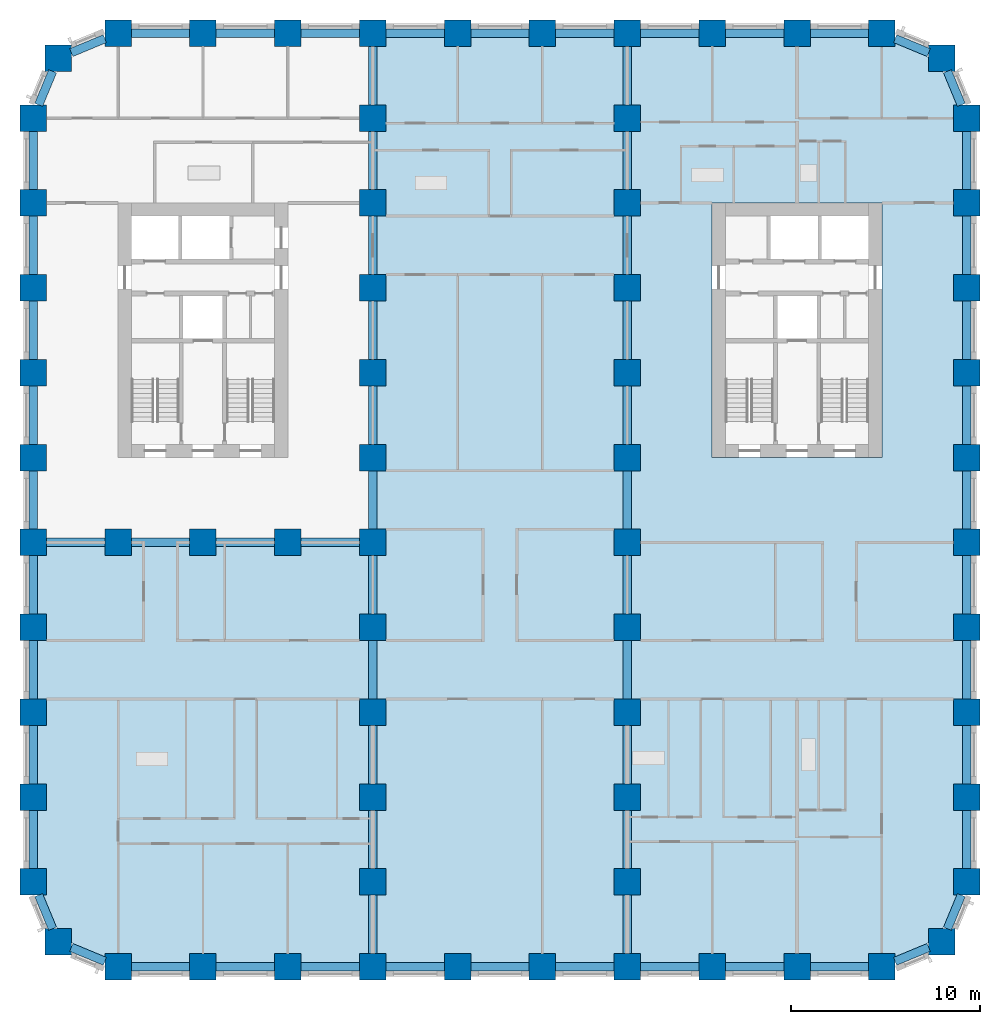
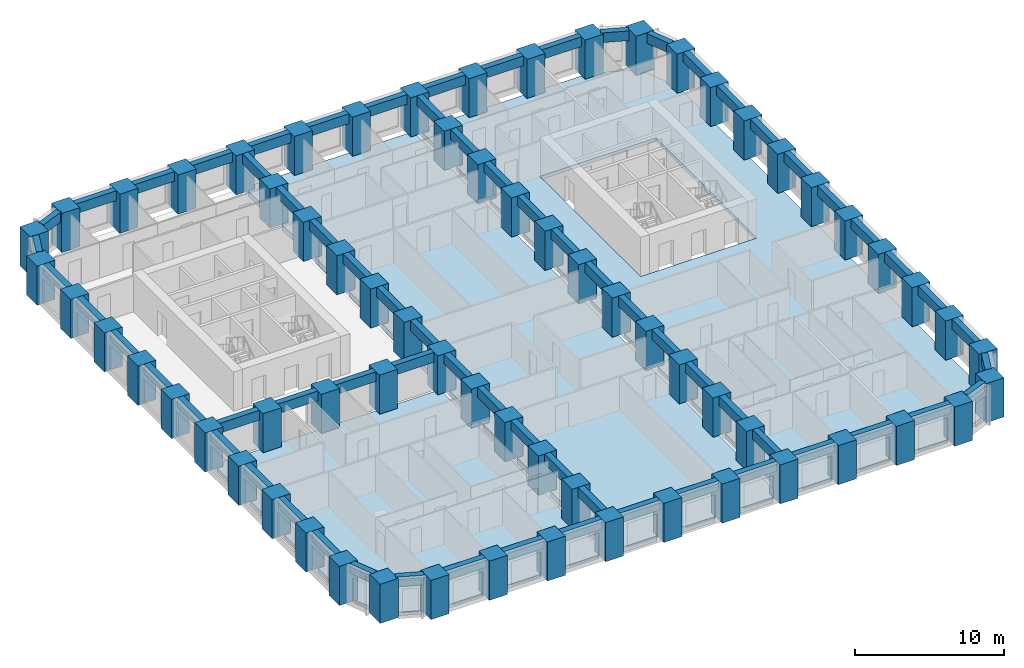
# One storey, part 1 of 13: 70 beams, 67 columns, 3 slabs.
"""IFC4 building model written with IfcOpenShell, lengths in metres."""

from ifc_helpers import new_model, si_unit, direction, frame, origin, origin_2d, place, context, subcontext, project, spatial, polyline, rectangle, outline, extrude, material, layer, layer_set, material_profile, profile_set, type_object, element, save


model = new_model("IFC4")

# Units and contexts
model_context = context("Model", 3, precision=1e-05, world=origin(), true_north=direction((0.0, 1.0)))
body_context = subcontext(model_context, "Body", "Model", "MODEL_VIEW")
ifc_project = project(units=[si_unit("LENGTHUNIT", "METRE"), si_unit("AREAUNIT", "SQUARE_METRE"), si_unit("VOLUMEUNIT", "CUBIC_METRE"), si_unit("PLANEANGLEUNIT", "RADIAN"), si_unit("MASSUNIT", "GRAM", prefix="KILO")], contexts=[model_context])

# Site, building, storey
site_placement = place(None, origin())
site = spatial("IfcSite", under=ifc_project, at=site_placement, CompositionType="ELEMENT")
building_placement = place(site_placement, origin())
building = spatial("IfcBuilding", under=site, at=building_placement, Name="Girih Gate Residences", CompositionType="ELEMENT")
storey_placement = place(building_placement, frame((0.0, 0.0, 52.800048828125)))
storey = spatial("IfcBuildingStorey", under=building, at=storey_placement, Name="L13", CompositionType="ELEMENT", Elevation=52.800048828125)

# Columns
ifc_material_1 = material(Name="Concrete C80/95", Category="concrete")
ifc_material_profile_1 = material_profile(ifc_material_1, rectangle(XDim=1.39990234375, YDim=1.39990234375, at=origin_2d()))
ifc_profile_set_1 = profile_set([ifc_material_profile_1], Name="Concrete C80/95")
column_type = type_object("IfcColumnType", Name="Pier RC 1400x1400 Concrete C80/95", PredefinedType="COLUMN", material=ifc_profile_set_1)
for number, where, z_axis, x_axis, name in (
    (1, (4.5, 0.0, 0.0), (0.0, 0.0, 1.0), (1.0, 0.0, 0.0), "Pier P2A L13"),
    (2, (9.0, 0.0, 0.0), (0.0, 0.0, 1.0), (1.0, 0.0, 0.0), "Pier P3A L13"),
    (3, (13.5, 0.0, 0.0), (0.0, 0.0, 1.0), (1.0, 0.0, 0.0), "Pier P4A L13"),
    (4, (18.0, 0.0, 0.0), (0.0, 0.0, 1.0), (1.0, 0.0, 0.0), "Pier P5A L13"),
    (5, (22.5, 0.0, 0.0), (0.0, 0.0, 1.0), (1.0, 0.0, 0.0), "Pier P6A L13"),
    (6, (27.0, 0.0, 0.0), (0.0, 0.0, 1.0), (1.0, 0.0, 0.0), "Pier P7A L13"),
    (7, (31.5, 0.0, 0.0), (0.0, 0.0, 1.0), (1.0, 0.0, 0.0), "Pier P8A L13"),
    (8, (36.0, 0.0, 0.0), (0.0, 0.0, 1.0), (1.0, 0.0, 0.0), "Pier P9A L13"),
    (9, (40.5, 0.0, 0.0), (0.0, 0.0, 1.0), (1.0, 0.0, 0.0), "Pier P10A L13"),
    (10, (45.0, 0.0, 0.0), (0.0, 0.0, 1.0), (1.0, 0.0, 0.0), "Pier P11A L13"),
    (11, (1.318115234375, 1.318115234375, 0.0), (0.0, 0.0, 1.0), (1.0, 0.0, 0.0), "Pier P1ANE L13"),
    (12, (48.181884765625, 1.318115234375, 0.0), (0.0, 0.0, 1.0), (1.0, 0.0, 0.0), "Pier P12ANW L13"),
    (13, (0.0, 4.5, 0.0), (0.0, 0.0, 1.0), (1.0, 0.0, 0.0), "Pier P1B L13"),
    (14, (18.0, 4.5, 0.0), (0.0, 0.0, 1.0), (1.0, 0.0, 0.0), "Pier P5B L13"),
    (15, (31.5, 4.5, 0.0), (0.0, 0.0, 1.0), (1.0, 0.0, 0.0), "Pier P8B L13"),
    (16, (49.5, 4.5, 0.0), (0.0, 0.0, 1.0), (1.0, 0.0, 0.0), "Pier P12B L13"),
    (17, (0.0, 9.0, 0.0), (0.0, 0.0, 1.0), (1.0, 0.0, 0.0), "Pier P1C L13"),
    (18, (18.0, 9.0, 0.0), (0.0, 0.0, 1.0), (1.0, 0.0, 0.0), "Pier P5C L13"),
    (19, (31.5, 9.0, 0.0), (0.0, 0.0, 1.0), (1.0, 0.0, 0.0), "Pier P8C L13"),
    (20, (49.5, 9.0, 0.0), (0.0, 0.0, 1.0), (1.0, 0.0, 0.0), "Pier P12C L13"),
    (21, (0.0, 13.5, 0.0), (0.0, 0.0, 1.0), (1.0, 0.0, 0.0), "Pier P1D L13"),
    (22, (18.0, 13.5, 0.0), (0.0, 0.0, 1.0), (1.0, 0.0, 0.0), "Pier P5D L13"),
    (23, (31.5, 13.5, 0.0), (0.0, 0.0, 1.0), (1.0, 0.0, 0.0), "Pier P8D L13"),
    (24, (49.5, 13.5, 0.0), (0.0, 0.0, 1.0), (1.0, 0.0, 0.0), "Pier P12D L13"),
    (25, (0.0, 18.0, 0.0), (0.0, 0.0, 1.0), (1.0, 0.0, 0.0), "Pier P1E L13"),
    (26, (18.0, 18.0, 0.0), (0.0, 0.0, 1.0), (1.0, 0.0, 0.0), "Pier P5E L13"),
    (27, (31.5, 18.0, 0.0), (0.0, 0.0, 1.0), (1.0, 0.0, 0.0), "Pier P8E L13"),
    (28, (49.5, 18.0, 0.0), (0.0, 0.0, 1.0), (1.0, 0.0, 0.0), "Pier P12E L13"),
    (29, (0.0, 22.5, 0.0), (0.0, 0.0, 1.0), (1.0, 0.0, 0.0), "Pier P1F L13"),
    (30, (4.5, 22.5, 0.0), (0.0, 0.0, 1.0), (1.0, 0.0, 0.0), "Pier P2F L13"),
    (31, (9.0, 22.5, 0.0), (0.0, 0.0, 1.0), (1.0, 0.0, 0.0), "Pier P3F L13"),
    (32, (13.5, 22.5, 0.0), (0.0, 0.0, 1.0), (1.0, 0.0, 0.0), "Pier P4F L13"),
    (33, (18.0, 22.5, 0.0), (0.0, 0.0, 1.0), (1.0, 0.0, 0.0), "Pier P5F L13"),
    (34, (31.5, 22.5, 0.0), (0.0, 0.0, 1.0), (1.0, 0.0, 0.0), "Pier P8F L13"),
    (35, (49.5, 22.5, 0.0), (0.0, 0.0, 1.0), (1.0, 0.0, 0.0), "Pier P12F L13"),
    (36, (0.0, 27.0, 0.0), (0.0, 0.0, 1.0), (1.0, 0.0, 0.0), "Pier P1G L13"),
    (37, (18.0, 27.0, 0.0), (0.0, 0.0, 1.0), (1.0, 0.0, 0.0), "Pier P5G L13"),
    (38, (31.5, 27.0, 0.0), (0.0, 0.0, 1.0), (1.0, 0.0, 0.0), "Pier P8G L13"),
    (39, (49.5, 27.0, 0.0), (0.0, 0.0, 1.0), (1.0, 0.0, 0.0), "Pier P12G L13"),
    (40, (0.0, 31.5, 0.0), (0.0, 0.0, 1.0), (1.0, 0.0, 0.0), "Pier P1H L13"),
    (41, (18.0, 31.5, 0.0), (0.0, 0.0, 1.0), (1.0, 0.0, 0.0), "Pier P5H L13"),
    (42, (31.5, 31.5, 0.0), (0.0, 0.0, 1.0), (1.0, 0.0, 0.0), "Pier P8H L13"),
    (43, (49.5, 31.5, 0.0), (0.0, 0.0, 1.0), (1.0, 0.0, 0.0), "Pier P12H L13"),
    (44, (0.0, 36.0, 0.0), (0.0, 0.0, 1.0), (1.0, 0.0, 0.0), "Pier P1I L13"),
    (45, (18.0, 36.0, 0.0), (0.0, 0.0, 1.0), (1.0, 0.0, 0.0), "Pier P5I L13"),
    (46, (31.5, 36.0, 0.0), (0.0, 0.0, 1.0), (1.0, 0.0, 0.0), "Pier P8I L13"),
    (47, (49.5, 36.0, 0.0), (0.0, 0.0, 1.0), (1.0, 0.0, 0.0), "Pier P12I L13"),
    (48, (0.0, 40.5, 0.0), (0.0, 0.0, 1.0), (1.0, 0.0, 0.0), "Pier P1J L13"),
    (49, (18.0, 40.5, 0.0), (0.0, 0.0, 1.0), (1.0, 0.0, 0.0), "Pier P5J L13"),
    (50, (31.5, 40.5, 0.0), (0.0, 0.0, 1.0), (1.0, 0.0, 0.0), "Pier P8J L13"),
    (51, (49.5, 40.5, 0.0), (0.0, 0.0, 1.0), (1.0, 0.0, 0.0), "Pier P12J L13"),
    (52, (0.0, 45.0, 0.0), (0.0, 0.0, 1.0), (1.0, 0.0, 0.0), "Pier P1K L13"),
    (53, (18.0, 45.0, 0.0), (0.0, 0.0, 1.0), (1.0, 0.0, 0.0), "Pier P5K L13"),
    (54, (31.5, 45.0, 0.0), (0.0, 0.0, 1.0), (1.0, 0.0, 0.0), "Pier P8K L13"),
    (55, (49.5, 45.0, 0.0), (0.0, 0.0, 1.0), (1.0, 0.0, 0.0), "Pier P12K L13"),
    (56, (1.318115234375, 48.181884765625, 0.0), (0.0, 0.0, 1.0), (1.0, 0.0, 0.0), "Pier P1LSE L13"),
    (57, (48.181884765625, 48.181884765625, 0.0), (0.0, 0.0, 1.0), (1.0, 0.0, 0.0), "Pier P12LSW L13"),
    (58, (4.5, 49.5, 0.0), (0.0, 0.0, 1.0), (1.0, 0.0, 0.0), "Pier P2L L13"),
    (59, (9.0, 49.5, 0.0), (0.0, 0.0, 1.0), (1.0, 0.0, 0.0), "Pier P3L L13"),
    (60, (13.5, 49.5, 0.0), (0.0, 0.0, 1.0), (1.0, 0.0, 0.0), "Pier P4L L13"),
    (61, (18.0, 49.5, 0.0), (0.0, 0.0, 1.0), (1.0, 0.0, 0.0), "Pier P5L L13"),
    (62, (22.5, 49.5, 0.0), (0.0, 0.0, 1.0), (1.0, 0.0, 0.0), "Pier P6L L13"),
    (63, (27.0, 49.5, 0.0), (0.0, 0.0, 1.0), (1.0, 0.0, 0.0), "Pier P7L L13"),
    (64, (31.5, 49.5, 0.0), (0.0, 0.0, 1.0), (1.0, 0.0, 0.0), "Pier P8L L13"),
    (65, (36.0, 49.5, 0.0), (0.0, 0.0, 1.0), (1.0, 0.0, 0.0), "Pier P9L L13"),
    (66, (40.5, 49.5, 0.0), (0.0, 0.0, 1.0), (1.0, 0.0, 0.0), "Pier P10L L13"),
    (67, (45.0, 49.5, 0.0), (0.0, 0.0, 1.0), (1.0, 0.0, 0.0), "Pier P11L L13"),
):
    element("IfcColumn", number, at=place(storey_placement, frame(where, z_axis=z_axis, x_axis=x_axis)), inside=storey, type_object=column_type, Name=name, PredefinedType="COLUMN", context=body_context, shape_type="SweptSolid", body=[
        extrude(rectangle(XDim=1.39990234375, YDim=1.39990234375, at=origin_2d()), origin(), (0.0, 0.0, 1.0), 3.199951171875),
    ])

# Beams
ifc_material_2 = material(Name="Concrete C60/75", Category="concrete")
ifc_material_profile_2 = material_profile(ifc_material_2, rectangle(XDim=0.449951171875, YDim=0.800048828125, at=origin_2d()))
ifc_profile_set_2 = profile_set([ifc_material_profile_2], Name="Concrete C60/75")
beam_type = type_object("IfcBeamType", Name="Spandrel girder RC 450x800 Concrete C60/75", PredefinedType="BEAM", material=ifc_profile_set_2)
for number, where, z_axis, x_axis, name in (
    (68, (0.2900390625, 3.800048828125, 2.800048828125), (0.382646180293, -0.923894961945, 0.0), (0.923894961945, 0.382646180293, 0.0), "Spandrel girder SP-P1B-P1ANE L13"),
    (69, (2.01806640625, 1.028076171875, 2.800048828125), (0.923894961945, -0.382646180293, 0.0), (0.382646180293, 0.923894961945, 0.0), "Spandrel girder SP-P1ANE-P2A L13"),
):
    element("IfcBeam", number, at=place(storey_placement, frame(where, z_axis=z_axis, x_axis=x_axis)), inside=storey, type_object=beam_type, Name=name, PredefinedType="BEAM", context=body_context, shape_type="SweptSolid", body=[
        extrude(rectangle(XDim=0.449951171875, YDim=0.800048828125, at=origin_2d()), origin(), (0.0, 0.0, 1.0), 1.9287109375),
    ])
for number, where, z_axis, x_axis, name in (
    (70, (5.199951171875, 0.0, 2.800048828125), (1.0, 0.0, 0.0), (0.0, 1.0, 0.0), "Spandrel girder SP-P2A-P3A L13"),
    (71, (9.699951171875, 0.0, 2.800048828125), (1.0, 0.0, 0.0), (0.0, 1.0, 0.0), "Spandrel girder SP-P3A-P4A L13"),
    (72, (14.199951171875, 0.0, 2.800048828125), (1.0, 0.0, 0.0), (0.0, 1.0, 0.0), "Spandrel girder SP-P4A-P5A L13"),
    (73, (18.699951171875, 0.0, 2.800048828125), (1.0, 0.0, 0.0), (0.0, 1.0, 0.0), "Spandrel girder SP-P5A-P6A L13"),
    (74, (23.199951171875, 0.0, 2.800048828125), (1.0, 0.0, 0.0), (0.0, 1.0, 0.0), "Spandrel girder SP-P6A-P7A L13"),
    (75, (27.699951171875, 0.0, 2.800048828125), (1.0, 0.0, 0.0), (0.0, 1.0, 0.0), "Spandrel girder SP-P7A-P8A L13"),
    (76, (32.199951171875, 0.0, 2.800048828125), (1.0, 0.0, 0.0), (0.0, 1.0, 0.0), "Spandrel girder SP-P8A-P9A L13"),
    (77, (36.699951171875, 0.0, 2.800048828125), (1.0, 0.0, 0.0), (0.0, 1.0, 0.0), "Spandrel girder SP-P9A-P10A L13"),
    (78, (41.199951171875, 0.0, 2.800048828125), (1.0, 0.0, 0.0), (0.0, 1.0, 0.0), "Spandrel girder SP-P10A-P11A L13"),
):
    element("IfcBeam", number, at=place(storey_placement, frame(where, z_axis=z_axis, x_axis=x_axis)), inside=storey, type_object=beam_type, Name=name, PredefinedType="BEAM", context=body_context, shape_type="SweptSolid", body=[
        extrude(rectangle(XDim=0.449951171875, YDim=0.800048828125, at=origin_2d()), origin(), (0.0, 0.0, 1.0), 3.10009765625),
    ])
for number, where, z_axis, x_axis, name in (
    (79, (45.699951171875, 0.2900390625, 2.800048828125), (0.923894961945, 0.382646180293, 0.0), (-0.382646180293, 0.923894961945, 0.0), "Spandrel girder SP-P11A-P12ANW L13"),
    (80, (48.471923828125, 2.01806640625, 2.800048828125), (0.382646180293, 0.923894961945, 0.0), (-0.923894961945, 0.382646180293, 0.0), "Spandrel girder SP-P12ANW-P12B L13"),
):
    element("IfcBeam", number, at=place(storey_placement, frame(where, z_axis=z_axis, x_axis=x_axis)), inside=storey, type_object=beam_type, Name=name, PredefinedType="BEAM", context=body_context, shape_type="SweptSolid", body=[
        extrude(rectangle(XDim=0.449951171875, YDim=0.800048828125, at=origin_2d()), origin(), (0.0, 0.0, 1.0), 1.9287109375),
    ])
for number, where, z_axis, x_axis, name in (
    (81, (49.5, 5.199951171875, 2.800048828125), (0.0, 1.0, 0.0), (-1.0, 0.0, 0.0), "Spandrel girder SP-P12B-P12C L13"),
    (82, (49.5, 9.699951171875, 2.800048828125), (0.0, 1.0, 0.0), (-1.0, 0.0, 0.0), "Spandrel girder SP-P12C-P12D L13"),
    (83, (49.5, 14.199951171875, 2.800048828125), (0.0, 1.0, 0.0), (-1.0, 0.0, 0.0), "Spandrel girder SP-P12D-P12E L13"),
    (84, (49.5, 18.699951171875, 2.800048828125), (0.0, 1.0, 0.0), (-1.0, 0.0, 0.0), "Spandrel girder SP-P12E-P12F L13"),
    (85, (49.5, 23.199951171875, 2.800048828125), (0.0, 1.0, 0.0), (-1.0, 0.0, 0.0), "Spandrel girder SP-P12F-P12G L13"),
    (86, (49.5, 27.699951171875, 2.800048828125), (0.0, 1.0, 0.0), (-1.0, 0.0, 0.0), "Spandrel girder SP-P12G-P12H L13"),
    (87, (49.5, 32.199951171875, 2.800048828125), (0.0, 1.0, 0.0), (-1.0, 0.0, 0.0), "Spandrel girder SP-P12H-P12I L13"),
    (88, (49.5, 36.699951171875, 2.800048828125), (0.0, 1.0, 0.0), (-1.0, 0.0, 0.0), "Spandrel girder SP-P12I-P12J L13"),
    (89, (49.5, 41.199951171875, 2.800048828125), (0.0, 1.0, 0.0), (-1.0, 0.0, 0.0), "Spandrel girder SP-P12J-P12K L13"),
):
    element("IfcBeam", number, at=place(storey_placement, frame(where, z_axis=z_axis, x_axis=x_axis)), inside=storey, type_object=beam_type, Name=name, PredefinedType="BEAM", context=body_context, shape_type="SweptSolid", body=[
        extrude(rectangle(XDim=0.449951171875, YDim=0.800048828125, at=origin_2d()), origin(), (0.0, 0.0, 1.0), 3.10009765625),
    ])
for number, where, z_axis, x_axis, name in (
    (90, (49.2099609375, 45.699951171875, 2.800048828125), (-0.382646180293, 0.923894961945, 0.0), (-0.923894961945, -0.382646180293, 0.0), "Spandrel girder SP-P12K-P12LSW L13"),
    (91, (47.48193359375, 48.471923828125, 2.800048828125), (-0.923894961945, 0.382646180293, 0.0), (-0.382646180293, -0.923894961945, 0.0), "Spandrel girder SP-P12LSW-P11L L13"),
):
    element("IfcBeam", number, at=place(storey_placement, frame(where, z_axis=z_axis, x_axis=x_axis)), inside=storey, type_object=beam_type, Name=name, PredefinedType="BEAM", context=body_context, shape_type="SweptSolid", body=[
        extrude(rectangle(XDim=0.449951171875, YDim=0.800048828125, at=origin_2d()), origin(), (0.0, 0.0, 1.0), 1.9287109375),
    ])
for number, where, z_axis, x_axis, name in (
    (92, (44.300048828125, 49.5, 2.800048828125), (-1.0, 0.0, 0.0), (0.0, -1.0, 0.0), "Spandrel girder SP-P11L-P10L L13"),
    (93, (39.800048828125, 49.5, 2.800048828125), (-1.0, 0.0, 0.0), (0.0, -1.0, 0.0), "Spandrel girder SP-P10L-P9L L13"),
    (94, (35.300048828125, 49.5, 2.800048828125), (-1.0, 0.0, 0.0), (0.0, -1.0, 0.0), "Spandrel girder SP-P9L-P8L L13"),
    (95, (30.800048828125, 49.5, 2.800048828125), (-1.0, 0.0, 0.0), (0.0, -1.0, 0.0), "Spandrel girder SP-P8L-P7L L13"),
    (96, (26.300048828125, 49.5, 2.800048828125), (-1.0, 0.0, 0.0), (0.0, -1.0, 0.0), "Spandrel girder SP-P7L-P6L L13"),
    (97, (21.800048828125, 49.5, 2.800048828125), (-1.0, 0.0, 0.0), (0.0, -1.0, 0.0), "Spandrel girder SP-P6L-P5L L13"),
    (98, (17.300048828125, 49.5, 2.800048828125), (-1.0, 0.0, 0.0), (0.0, -1.0, 0.0), "Spandrel girder SP-P5L-P4L L13"),
    (99, (12.800048828125, 49.5, 2.800048828125), (-1.0, 0.0, 0.0), (0.0, -1.0, 0.0), "Spandrel girder SP-P4L-P3L L13"),
    (100, (8.300048828125, 49.5, 2.800048828125), (-1.0, 0.0, 0.0), (0.0, -1.0, 0.0), "Spandrel girder SP-P3L-P2L L13"),
):
    element("IfcBeam", number, at=place(storey_placement, frame(where, z_axis=z_axis, x_axis=x_axis)), inside=storey, type_object=beam_type, Name=name, PredefinedType="BEAM", context=body_context, shape_type="SweptSolid", body=[
        extrude(rectangle(XDim=0.449951171875, YDim=0.800048828125, at=origin_2d()), origin(), (0.0, 0.0, 1.0), 3.10009765625),
    ])
for number, where, z_axis, x_axis, name in (
    (101, (3.800048828125, 49.2099609375, 2.800048828125), (-0.923894961945, -0.382646180293, 0.0), (0.382646180293, -0.923894961945, 0.0), "Spandrel girder SP-P2L-P1LSE L13"),
    (102, (1.028076171875, 47.48193359375, 2.800048828125), (-0.382646180293, -0.923894961945, 0.0), (0.923894961945, -0.382646180293, 0.0), "Spandrel girder SP-P1LSE-P1K L13"),
):
    element("IfcBeam", number, at=place(storey_placement, frame(where, z_axis=z_axis, x_axis=x_axis)), inside=storey, type_object=beam_type, Name=name, PredefinedType="BEAM", context=body_context, shape_type="SweptSolid", body=[
        extrude(rectangle(XDim=0.449951171875, YDim=0.800048828125, at=origin_2d()), origin(), (0.0, 0.0, 1.0), 1.9287109375),
    ])
for number, where, z_axis, x_axis, name in (
    (103, (0.0, 44.300048828125, 2.800048828125), (0.0, -1.0, 0.0), (1.0, 0.0, 0.0), "Spandrel girder SP-P1K-P1J L13"),
    (104, (0.0, 39.800048828125, 2.800048828125), (0.0, -1.0, 0.0), (1.0, 0.0, 0.0), "Spandrel girder SP-P1J-P1I L13"),
    (105, (0.0, 35.300048828125, 2.800048828125), (0.0, -1.0, 0.0), (1.0, 0.0, 0.0), "Spandrel girder SP-P1I-P1H L13"),
    (106, (0.0, 30.800048828125, 2.800048828125), (0.0, -1.0, 0.0), (1.0, 0.0, 0.0), "Spandrel girder SP-P1H-P1G L13"),
    (107, (0.0, 26.300048828125, 2.800048828125), (0.0, -1.0, 0.0), (1.0, 0.0, 0.0), "Spandrel girder SP-P1G-P1F L13"),
    (108, (0.0, 21.800048828125, 2.800048828125), (0.0, -1.0, 0.0), (1.0, 0.0, 0.0), "Spandrel girder SP-P1F-P1E L13"),
    (109, (0.0, 17.300048828125, 2.800048828125), (0.0, -1.0, 0.0), (1.0, 0.0, 0.0), "Spandrel girder SP-P1E-P1D L13"),
    (110, (0.0, 12.800048828125, 2.800048828125), (0.0, -1.0, 0.0), (1.0, 0.0, 0.0), "Spandrel girder SP-P1D-P1C L13"),
    (111, (0.0, 8.300048828125, 2.800048828125), (0.0, -1.0, 0.0), (1.0, 0.0, 0.0), "Spandrel girder SP-P1C-P1B L13"),
    (112, (18.0, 0.699951171875, 2.800048828125), (0.0, 1.0, 0.0), (-1.0, 0.0, 0.0), "Spandrel girder SP-P5A-P5B L13"),
    (113, (18.0, 5.199951171875, 2.800048828125), (0.0, 1.0, 0.0), (-1.0, 0.0, 0.0), "Spandrel girder SP-P5B-P5C L13"),
    (114, (18.0, 9.699951171875, 2.800048828125), (0.0, 1.0, 0.0), (-1.0, 0.0, 0.0), "Spandrel girder SP-P5C-P5D L13"),
    (115, (18.0, 14.199951171875, 2.800048828125), (0.0, 1.0, 0.0), (-1.0, 0.0, 0.0), "Spandrel girder SP-P5D-P5E L13"),
    (116, (18.0, 18.699951171875, 2.800048828125), (0.0, 1.0, 0.0), (-1.0, 0.0, 0.0), "Spandrel girder SP-P5E-P5F L13"),
    (117, (18.0, 23.199951171875, 2.800048828125), (0.0, 1.0, 0.0), (-1.0, 0.0, 0.0), "Spandrel girder SP-P5F-P5G L13"),
    (118, (18.0, 27.699951171875, 2.800048828125), (0.0, 1.0, 0.0), (-1.0, 0.0, 0.0), "Spandrel girder SP-P5G-P5H L13"),
    (119, (18.0, 32.199951171875, 2.800048828125), (0.0, 1.0, 0.0), (-1.0, 0.0, 0.0), "Spandrel girder SP-P5H-P5I L13"),
    (120, (18.0, 36.699951171875, 2.800048828125), (0.0, 1.0, 0.0), (-1.0, 0.0, 0.0), "Spandrel girder SP-P5I-P5J L13"),
    (121, (18.0, 41.199951171875, 2.800048828125), (0.0, 1.0, 0.0), (-1.0, 0.0, 0.0), "Spandrel girder SP-P5J-P5K L13"),
    (122, (18.0, 45.699951171875, 2.800048828125), (0.0, 1.0, 0.0), (-1.0, 0.0, 0.0), "Spandrel girder SP-P5K-P5L L13"),
    (123, (31.5, 0.699951171875, 2.800048828125), (0.0, 1.0, 0.0), (-1.0, 0.0, 0.0), "Spandrel girder SP-P8A-P8B L13"),
    (124, (31.5, 5.199951171875, 2.800048828125), (0.0, 1.0, 0.0), (-1.0, 0.0, 0.0), "Spandrel girder SP-P8B-P8C L13"),
    (125, (31.5, 9.699951171875, 2.800048828125), (0.0, 1.0, 0.0), (-1.0, 0.0, 0.0), "Spandrel girder SP-P8C-P8D L13"),
    (126, (31.5, 14.199951171875, 2.800048828125), (0.0, 1.0, 0.0), (-1.0, 0.0, 0.0), "Spandrel girder SP-P8D-P8E L13"),
    (127, (31.5, 18.699951171875, 2.800048828125), (0.0, 1.0, 0.0), (-1.0, 0.0, 0.0), "Spandrel girder SP-P8E-P8F L13"),
    (128, (31.5, 23.199951171875, 2.800048828125), (0.0, 1.0, 0.0), (-1.0, 0.0, 0.0), "Spandrel girder SP-P8F-P8G L13"),
    (129, (31.5, 27.699951171875, 2.800048828125), (0.0, 1.0, 0.0), (-1.0, 0.0, 0.0), "Spandrel girder SP-P8G-P8H L13"),
    (130, (31.5, 32.199951171875, 2.800048828125), (0.0, 1.0, 0.0), (-1.0, 0.0, 0.0), "Spandrel girder SP-P8H-P8I L13"),
    (131, (31.5, 36.699951171875, 2.800048828125), (0.0, 1.0, 0.0), (-1.0, 0.0, 0.0), "Spandrel girder SP-P8I-P8J L13"),
    (132, (31.5, 41.199951171875, 2.800048828125), (0.0, 1.0, 0.0), (-1.0, 0.0, 0.0), "Spandrel girder SP-P8J-P8K L13"),
    (133, (31.5, 45.699951171875, 2.800048828125), (0.0, 1.0, 0.0), (-1.0, 0.0, 0.0), "Spandrel girder SP-P8K-P8L L13"),
    (134, (0.699951171875, 22.5, 2.800048828125), (1.0, 0.0, 0.0), (0.0, 1.0, 0.0), "Spandrel girder SP-P1F-P2F L13"),
    (135, (5.199951171875, 22.5, 2.800048828125), (1.0, 0.0, 0.0), (0.0, 1.0, 0.0), "Spandrel girder SP-P2F-P3F L13"),
    (136, (9.699951171875, 22.5, 2.800048828125), (1.0, 0.0, 0.0), (0.0, 1.0, 0.0), "Spandrel girder SP-P3F-P4F L13"),
    (137, (14.199951171875, 22.5, 2.800048828125), (1.0, 0.0, 0.0), (0.0, 1.0, 0.0), "Spandrel girder SP-P4F-P5F L13"),
):
    element("IfcBeam", number, at=place(storey_placement, frame(where, z_axis=z_axis, x_axis=x_axis)), inside=storey, type_object=beam_type, Name=name, PredefinedType="BEAM", context=body_context, shape_type="SweptSolid", body=[
        extrude(rectangle(XDim=0.449951171875, YDim=0.800048828125, at=origin_2d()), origin(), (0.0, 0.0, 1.0), 3.10009765625),
    ])

# Slabs
ifc_material_3 = material(Name="Concrete C40/50", Category="concrete")
ifc_layer_1 = layer(ifc_material_3, 0.300048828125)
ifc_layer_set_1 = layer_set([ifc_layer_1], Name="Floor slab PT 300 Concrete C40/50")
slab_type_1 = type_object("IfcSlabType", Name="Floor slab PT 300 Concrete C40/50", PredefinedType="FLOOR", material=ifc_layer_set_1)
slab_1_placement = place(storey_placement, frame((0.0, 0.0, -0.300048828125)))
element("IfcSlab", 138, at=slab_1_placement, inside=storey, type_object=slab_type_1, Name="Floor slab L13 0", PredefinedType="FLOOR", context=body_context, shape_type="SweptSolid", body=[
    extrude(outline(polyline([(0.22509765625, 8.300048828125), (0.22509765625, 5.199951171875), (0.699951171875, 5.199951171875), (0.699951171875, 3.800048828125), (0.533447265625, 3.800048828125), (1.271728515625, 2.01806640625), (2.01806640625, 2.01806640625), (2.01806640625, 1.271728515625), (3.800048828125, 0.533447265625), (3.800048828125, 0.699951171875), (5.199951171875, 0.699951171875), (5.199951171875, 0.22509765625), (8.300048828125, 0.22509765625), (8.300048828125, 0.699951171875), (9.699951171875, 0.699951171875), (9.699951171875, 0.22509765625), (12.800048828125, 0.22509765625), (12.800048828125, 0.699951171875), (14.199951171875, 0.699951171875), (14.199951171875, 0.22509765625), (17.300048828125, 0.22509765625), (17.300048828125, 0.699951171875), (17.77490234375, 0.699951171875), (17.77490234375, 3.800048828125), (17.300048828125, 3.800048828125), (17.300048828125, 5.199951171875), (17.77490234375, 5.199951171875), (17.77490234375, 8.300048828125), (17.300048828125, 8.300048828125), (17.300048828125, 9.699951171875), (17.77490234375, 9.699951171875), (17.77490234375, 12.800048828125), (17.300048828125, 12.800048828125), (17.300048828125, 14.199951171875), (17.77490234375, 14.199951171875), (17.77490234375, 17.300048828125), (17.300048828125, 17.300048828125), (17.300048828125, 18.699951171875), (17.77490234375, 18.699951171875), (17.77490234375, 21.800048828125), (17.300048828125, 21.800048828125), (17.300048828125, 22.27490234375), (14.199951171875, 22.27490234375), (14.199951171875, 21.800048828125), (12.800048828125, 21.800048828125), (12.800048828125, 22.27490234375), (9.699951171875, 22.27490234375), (9.699951171875, 21.800048828125), (8.300048828125, 21.800048828125), (8.300048828125, 22.27490234375), (5.199951171875, 22.27490234375), (5.199951171875, 21.800048828125), (3.800048828125, 21.800048828125), (3.800048828125, 22.27490234375), (0.699951171875, 22.27490234375), (0.699951171875, 21.800048828125), (0.22509765625, 21.800048828125), (0.22509765625, 18.699951171875), (0.699951171875, 18.699951171875), (0.699951171875, 17.300048828125), (0.22509765625, 17.300048828125), (0.22509765625, 14.199951171875), (0.699951171875, 14.199951171875), (0.699951171875, 12.800048828125), (0.22509765625, 12.800048828125), (0.22509765625, 9.699951171875), (0.699951171875, 9.699951171875), (0.699951171875, 8.300048828125), (0.22509765625, 8.300048828125)])), origin(), (0.0, 0.0, 1.0), 0.300048828125),
])
slab_2_placement = place(storey_placement, frame((0.0, 0.0, -0.300048828125)))
element("IfcSlab", 139, at=slab_2_placement, inside=storey, type_object=slab_type_1, Name="Floor slab L13 1", PredefinedType="FLOOR", context=body_context, shape_type="SweptSolid", body=[
    extrude(outline(polyline([(35.300048828125, 49.27490234375), (32.199951171875, 49.27490234375), (32.199951171875, 48.800048828125), (31.72509765625, 48.800048828125), (31.72509765625, 45.699951171875), (32.199951171875, 45.699951171875), (32.199951171875, 44.300048828125), (31.72509765625, 44.300048828125), (31.72509765625, 41.199951171875), (32.199951171875, 41.199951171875), (32.199951171875, 39.800048828125), (31.72509765625, 39.800048828125), (31.72509765625, 36.699951171875), (32.199951171875, 36.699951171875), (32.199951171875, 35.300048828125), (31.72509765625, 35.300048828125), (31.72509765625, 32.199951171875), (32.199951171875, 32.199951171875), (32.199951171875, 30.800048828125), (31.72509765625, 30.800048828125), (31.72509765625, 27.699951171875), (32.199951171875, 27.699951171875), (32.199951171875, 26.300048828125), (31.72509765625, 26.300048828125), (31.72509765625, 23.199951171875), (32.199951171875, 23.199951171875), (32.199951171875, 21.800048828125), (31.72509765625, 21.800048828125), (31.72509765625, 18.699951171875), (32.199951171875, 18.699951171875), (32.199951171875, 17.300048828125), (31.72509765625, 17.300048828125), (31.72509765625, 14.199951171875), (32.199951171875, 14.199951171875), (32.199951171875, 12.800048828125), (31.72509765625, 12.800048828125), (31.72509765625, 9.699951171875), (32.199951171875, 9.699951171875), (32.199951171875, 8.300048828125), (31.72509765625, 8.300048828125), (31.72509765625, 5.199951171875), (32.199951171875, 5.199951171875), (32.199951171875, 3.800048828125), (31.72509765625, 3.800048828125), (31.72509765625, 0.699951171875), (32.199951171875, 0.699951171875), (32.199951171875, 0.22509765625), (35.300048828125, 0.22509765625), (35.300048828125, 0.699951171875), (36.699951171875, 0.699951171875), (36.699951171875, 0.22509765625), (39.800048828125, 0.22509765625), (39.800048828125, 0.699951171875), (41.199951171875, 0.699951171875), (41.199951171875, 0.22509765625), (44.300048828125, 0.22509765625), (44.300048828125, 0.699951171875), (45.699951171875, 0.699951171875), (45.699951171875, 0.533447265625), (47.48193359375, 1.271728515625), (47.48193359375, 2.01806640625), (48.228271484375, 2.01806640625), (48.966552734375, 3.800048828125), (48.800048828125, 3.800048828125), (48.800048828125, 5.199951171875), (49.27490234375, 5.199951171875), (49.27490234375, 8.300048828125), (48.800048828125, 8.300048828125), (48.800048828125, 9.699951171875), (49.27490234375, 9.699951171875), (49.27490234375, 12.800048828125), (48.800048828125, 12.800048828125), (48.800048828125, 14.199951171875), (49.27490234375, 14.199951171875), (49.27490234375, 17.300048828125), (48.800048828125, 17.300048828125), (48.800048828125, 18.699951171875), (49.27490234375, 18.699951171875), (49.27490234375, 21.800048828125), (48.800048828125, 21.800048828125), (48.800048828125, 23.199951171875), (49.27490234375, 23.199951171875), (49.27490234375, 26.300048828125), (48.800048828125, 26.300048828125), (48.800048828125, 27.699951171875), (49.27490234375, 27.699951171875), (49.27490234375, 30.800048828125), (48.800048828125, 30.800048828125), (48.800048828125, 32.199951171875), (49.27490234375, 32.199951171875), (49.27490234375, 35.300048828125), (48.800048828125, 35.300048828125), (48.800048828125, 36.699951171875), (49.27490234375, 36.699951171875), (49.27490234375, 39.800048828125), (48.800048828125, 39.800048828125), (48.800048828125, 41.199951171875), (49.27490234375, 41.199951171875), (49.27490234375, 44.300048828125), (48.800048828125, 44.300048828125), (48.800048828125, 45.699951171875), (48.966552734375, 45.699951171875), (48.228271484375, 47.48193359375), (47.48193359375, 47.48193359375), (47.48193359375, 48.228271484375), (45.699951171875, 48.966552734375), (45.699951171875, 48.800048828125), (44.300048828125, 48.800048828125), (44.300048828125, 49.27490234375), (41.199951171875, 49.27490234375), (41.199951171875, 48.800048828125), (39.800048828125, 48.800048828125), (39.800048828125, 49.27490234375), (36.699951171875, 49.27490234375), (36.699951171875, 48.800048828125), (35.300048828125, 48.800048828125), (35.300048828125, 49.27490234375)]), holes=[polyline([(45.0, 40.5), (45.0, 27.0), (36.0, 27.0), (36.0, 40.5), (45.0, 40.5)])]), origin(), (0.0, 0.0, 1.0), 0.300048828125),
])
ifc_layer_2 = layer(ifc_material_3, 0.449951171875)
ifc_layer_set_2 = layer_set([ifc_layer_2], Name="Floor slab PT 450 Concrete C40/50")
slab_type_2 = type_object("IfcSlabType", Name="Floor slab PT 450 Concrete C40/50", PredefinedType="FLOOR", material=ifc_layer_set_2)
slab_3_placement = place(storey_placement, frame((0.0, 0.0, -0.449951171875)))
element("IfcSlab", 140, at=slab_3_placement, inside=storey, type_object=slab_type_2, Name="Floor slab L13 2", PredefinedType="FLOOR", context=body_context, shape_type="SweptSolid", body=[
    extrude(outline(polyline([(21.800048828125, 49.27490234375), (18.699951171875, 49.27490234375), (18.699951171875, 48.800048828125), (18.22509765625, 48.800048828125), (18.22509765625, 45.699951171875), (18.699951171875, 45.699951171875), (18.699951171875, 44.300048828125), (18.22509765625, 44.300048828125), (18.22509765625, 41.199951171875), (18.699951171875, 41.199951171875), (18.699951171875, 39.800048828125), (18.22509765625, 39.800048828125), (18.22509765625, 36.699951171875), (18.699951171875, 36.699951171875), (18.699951171875, 35.300048828125), (18.22509765625, 35.300048828125), (18.22509765625, 32.199951171875), (18.699951171875, 32.199951171875), (18.699951171875, 30.800048828125), (18.22509765625, 30.800048828125), (18.22509765625, 27.699951171875), (18.699951171875, 27.699951171875), (18.699951171875, 26.300048828125), (18.22509765625, 26.300048828125), (18.22509765625, 23.199951171875), (18.699951171875, 23.199951171875), (18.699951171875, 21.800048828125), (18.22509765625, 21.800048828125), (18.22509765625, 18.699951171875), (18.699951171875, 18.699951171875), (18.699951171875, 17.300048828125), (18.22509765625, 17.300048828125), (18.22509765625, 14.199951171875), (18.699951171875, 14.199951171875), (18.699951171875, 12.800048828125), (18.22509765625, 12.800048828125), (18.22509765625, 9.699951171875), (18.699951171875, 9.699951171875), (18.699951171875, 8.300048828125), (18.22509765625, 8.300048828125), (18.22509765625, 5.199951171875), (18.699951171875, 5.199951171875), (18.699951171875, 3.800048828125), (18.22509765625, 3.800048828125), (18.22509765625, 0.699951171875), (18.699951171875, 0.699951171875), (18.699951171875, 0.22509765625), (21.800048828125, 0.22509765625), (21.800048828125, 0.699951171875), (23.199951171875, 0.699951171875), (23.199951171875, 0.22509765625), (26.300048828125, 0.22509765625), (26.300048828125, 0.699951171875), (27.699951171875, 0.699951171875), (27.699951171875, 0.22509765625), (30.800048828125, 0.22509765625), (30.800048828125, 0.699951171875), (31.27490234375, 0.699951171875), (31.27490234375, 3.800048828125), (30.800048828125, 3.800048828125), (30.800048828125, 5.199951171875), (31.27490234375, 5.199951171875), (31.27490234375, 8.300048828125), (30.800048828125, 8.300048828125), (30.800048828125, 9.699951171875), (31.27490234375, 9.699951171875), (31.27490234375, 12.800048828125), (30.800048828125, 12.800048828125), (30.800048828125, 14.199951171875), (31.27490234375, 14.199951171875), (31.27490234375, 17.300048828125), (30.800048828125, 17.300048828125), (30.800048828125, 18.699951171875), (31.27490234375, 18.699951171875), (31.27490234375, 21.800048828125), (30.800048828125, 21.800048828125), (30.800048828125, 23.199951171875), (31.27490234375, 23.199951171875), (31.27490234375, 26.300048828125), (30.800048828125, 26.300048828125), (30.800048828125, 27.699951171875), (31.27490234375, 27.699951171875), (31.27490234375, 30.800048828125), (30.800048828125, 30.800048828125), (30.800048828125, 32.199951171875), (31.27490234375, 32.199951171875), (31.27490234375, 35.300048828125), (30.800048828125, 35.300048828125), (30.800048828125, 36.699951171875), (31.27490234375, 36.699951171875), (31.27490234375, 39.800048828125), (30.800048828125, 39.800048828125), (30.800048828125, 41.199951171875), (31.27490234375, 41.199951171875), (31.27490234375, 44.300048828125), (30.800048828125, 44.300048828125), (30.800048828125, 45.699951171875), (31.27490234375, 45.699951171875), (31.27490234375, 48.800048828125), (30.800048828125, 48.800048828125), (30.800048828125, 49.27490234375), (27.699951171875, 49.27490234375), (27.699951171875, 48.800048828125), (26.300048828125, 48.800048828125), (26.300048828125, 49.27490234375), (23.199951171875, 49.27490234375), (23.199951171875, 48.800048828125), (21.800048828125, 48.800048828125), (21.800048828125, 49.27490234375)])), origin(), (0.0, 0.0, 1.0), 0.449951171875),
])

save(model, "model.ifc")
